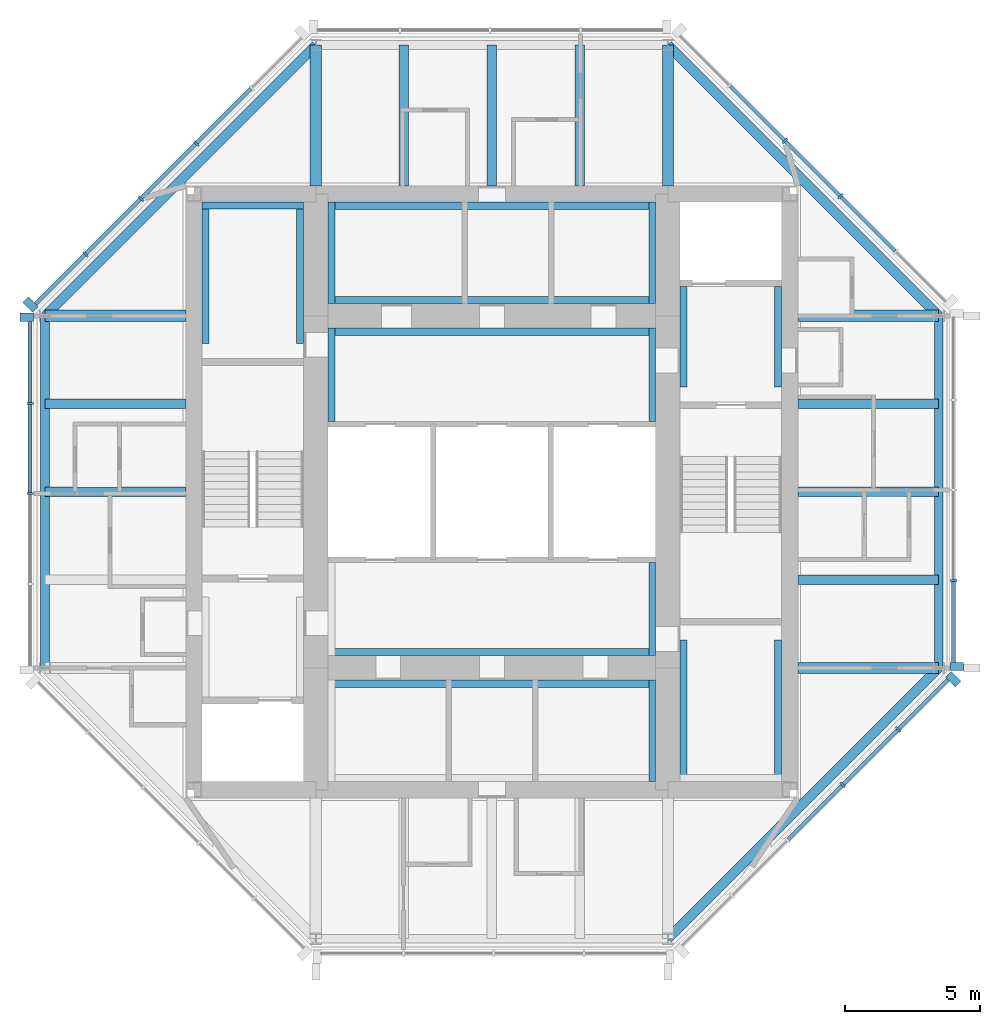
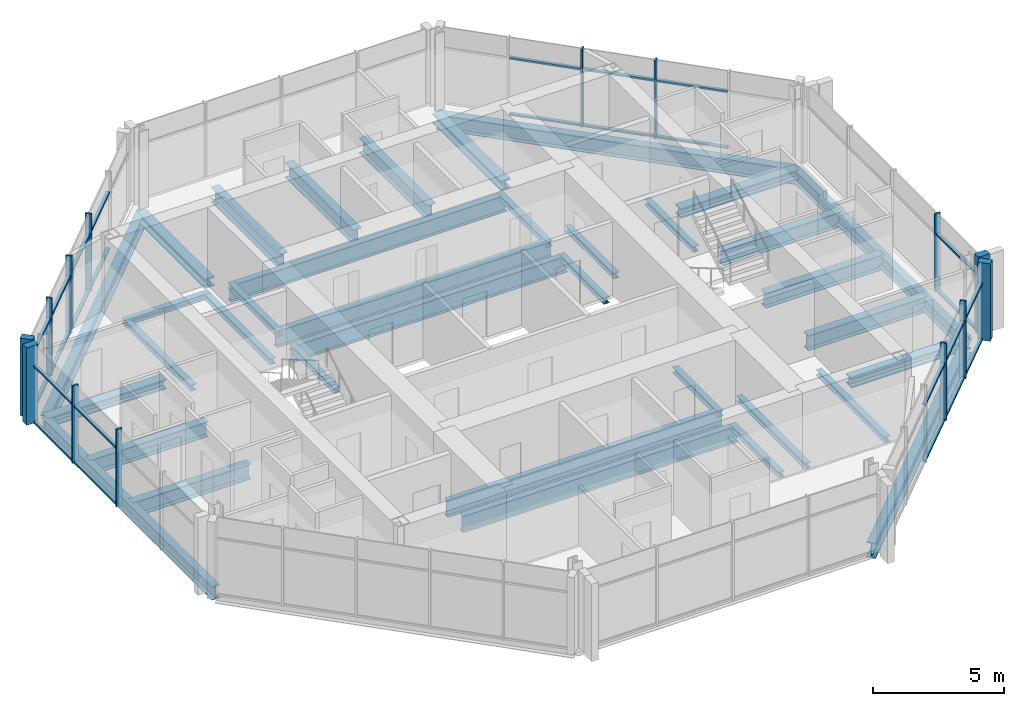
# One storey, part 2 of 9: 40 members, 36 beams, 5 elements without a shape of their own.
"""IFC4 building model written with IfcOpenShell, lengths in metres."""

from ifc_helpers import new_model, si_unit, direction, frame, origin, origin_2d, place, context, subcontext, project, spatial, rectangle, i_section, extrude, material, material_profile, profile_set, type_object, element, aggregate, save


model = new_model("IFC4")

# Units and contexts
model_context = context("Model", 3, precision=1e-05, world=origin(), true_north=direction((0.0, 1.0)))
body_context = subcontext(model_context, "Body", "Model", "MODEL_VIEW")
ifc_project = project(units=[si_unit("LENGTHUNIT", "METRE"), si_unit("AREAUNIT", "SQUARE_METRE"), si_unit("VOLUMEUNIT", "CUBIC_METRE"), si_unit("PLANEANGLEUNIT", "RADIAN"), si_unit("MASSUNIT", "GRAM", prefix="KILO")], contexts=[model_context])

# Site, building, storey
site_placement = place(None, origin())
site = spatial("IfcSite", under=ifc_project, at=site_placement, CompositionType="ELEMENT")
building_placement = place(site_placement, origin())
building = spatial("IfcBuilding", under=site, at=building_placement, Name="Trevanion Tower", CompositionType="ELEMENT")
storey_placement = place(building_placement, frame((0.0, 0.0, 281.199951171875)))
storey = spatial("IfcBuildingStorey", under=building, at=storey_placement, Name="L69", CompositionType="ELEMENT", Elevation=281.199951171875)

# Beams
ifc_material_1 = material(Name="Steel ASTM A992 Grade 50", Category="steel")
ifc_material_profile_1 = material_profile(ifc_material_1, i_section(OverallWidth=0.355712890625, OverallDepth=0.700927734375, WebThickness=0.016845703125, FlangeThickness=0.02734375, at=origin_2d()), Name="W27X161")
ifc_profile_set_1 = profile_set([ifc_material_profile_1], Name="Steel ASTM A992 Grade 50")
beam_type_1 = type_object("IfcBeamType", Name="B15 W27X161", PredefinedType="BEAM", material=ifc_profile_set_1)
for number, where, z_axis, x_axis, name in (
    (1, (11.300048828125, -3.25, -0.54052734375), (1.0, 0.0, 0.0), (0.0, 1.0, 0.0), "B15 L69"),
    (2, (11.300048828125, 0.0, -0.54052734375), (1.0, 0.0, 0.0), (0.0, 1.0, 0.0), "B15 L69"),
    (3, (11.300048828125, 3.25, -0.54052734375), (1.0, 0.0, 0.0), (0.0, 1.0, 0.0), "B15 L69"),
    (4, (3.25, 11.300048828125, -0.54052734375), (0.0, 1.0, 0.0), (-1.0, 0.0, 0.0), "B15 L69"),
    (5, (0.0, 11.300048828125, -0.54052734375), (0.0, 1.0, 0.0), (-1.0, 0.0, 0.0), "B15 L69"),
    (6, (-3.25, 11.300048828125, -0.54052734375), (0.0, 1.0, 0.0), (-1.0, 0.0, 0.0), "B15 L69"),
    (7, (-11.300048828125, 3.25, -0.54052734375), (-1.0, 0.0, 0.0), (0.0, -1.0, 0.0), "B15 L69"),
    (8, (-11.300048828125, 0.0, -0.54052734375), (-1.0, 0.0, 0.0), (0.0, -1.0, 0.0), "B15 L69"),
):
    element("IfcBeam", number, at=place(storey_placement, frame(where, z_axis=z_axis, x_axis=x_axis)), inside=storey, type_object=beam_type_1, Name=name, PredefinedType="BEAM", context=body_context, shape_type="SweptSolid", body=[
        extrude(i_section(OverallWidth=0.355712890625, OverallDepth=0.700927734375, WebThickness=0.016845703125, FlangeThickness=0.02734375, at=origin_2d()), origin(), (0.0, 0.0, 1.0), 5.199951171875),
    ])

# Curtain wall, member
ifc_material_2 = material(Name="Aluminium and glass", Category="aluminium")
curtain_wall_type = type_object("IfcCurtainWallType", Name="CW4 curtain wall", PredefinedType="USERDEFINED", material=ifc_material_2)
curtain_wall_1_placement = place(storey_placement, origin())
curtain_wall_1 = element("IfcCurtainWall", 9, at=curtain_wall_1_placement, inside=storey, type_object=curtain_wall_type, Name="CW4 L69 0", ObjectType="UNITISED CURTAIN WALL", PredefinedType="USERDEFINED")
ifc_material_3 = material(Name="Aluminium extrusion, anodised bronze", Category="aluminium")
ifc_material_profile_2 = material_profile(ifc_material_3, rectangle(XDim=0.074951171875, YDim=0.25, at=origin_2d()), Name="CW4 mullion")
ifc_profile_set_2 = profile_set([ifc_material_profile_2], Name="Aluminium extrusion, anodised bronze")
member_type_1 = type_object("IfcMemberType", Name="CW4 mullion", PredefinedType="MULLION", material=ifc_profile_set_2)
member_1_placement = place(storey_placement, frame((17.050048828125, -3.266357421875, -0.18994140625), z_axis=(0.0, 0.0, 1.0), x_axis=(0.0, 1.0, 0.0)))
member_1 = element("IfcMember", 10, at=member_1_placement, type_object=member_type_1, Name="CW4 mullion 2", PredefinedType="MULLION", context=body_context, shape_type="SweptSolid", body=[
    extrude(rectangle(XDim=0.074951171875, YDim=0.25, at=origin_2d()), origin(), (0.0, 0.0, 1.0), 3.60009765625),
])

# Curtain wall, members
curtain_wall_2_placement = place(storey_placement, origin())
curtain_wall_2 = element("IfcCurtainWall", 11, at=curtain_wall_2_placement, inside=storey, type_object=curtain_wall_type, Name="CW4 L69 1", ObjectType="UNITISED CURTAIN WALL", PredefinedType="USERDEFINED")
member_2_placement = place(storey_placement, frame((12.865966796875, 10.911865234375, -0.18994140625), z_axis=(0.0, 0.0, 1.0), x_axis=(-0.707106781187, 0.707106781187, 0.0)))
member_2 = element("IfcMember", 12, at=member_2_placement, type_object=member_type_1, Name="CW4 mullion 3", PredefinedType="MULLION", context=body_context, shape_type="SweptSolid", body=[
    extrude(rectangle(XDim=0.074951171875, YDim=0.25, at=origin_2d()), origin(), (0.0, 0.0, 1.0), 3.60009765625),
])
member_3_placement = place(storey_placement, frame((10.81982421875, 12.9580078125, -0.18994140625), z_axis=(0.0, 0.0, 1.0), x_axis=(-0.707106781187, 0.707106781187, 0.0)))
member_3 = element("IfcMember", 13, at=member_3_placement, type_object=member_type_1, Name="CW4 mullion 4", PredefinedType="MULLION", context=body_context, shape_type="SweptSolid", body=[
    extrude(rectangle(XDim=0.074951171875, YDim=0.25, at=origin_2d()), origin(), (0.0, 0.0, 1.0), 3.60009765625),
])

curtain_wall_3_placement = place(storey_placement, origin())
curtain_wall_3 = element("IfcCurtainWall", 14, at=curtain_wall_3_placement, inside=storey, type_object=curtain_wall_type, Name="CW4 L69 3", ObjectType="UNITISED CURTAIN WALL", PredefinedType="USERDEFINED")
member_4_placement = place(storey_placement, frame((-10.911865234375, 12.865966796875, -0.18994140625), z_axis=(0.0, 0.0, 1.0), x_axis=(-0.707106781187, -0.707106781187, 0.0)))
member_4 = element("IfcMember", 15, at=member_4_placement, type_object=member_type_1, Name="CW4 mullion 3", PredefinedType="MULLION", context=body_context, shape_type="SweptSolid", body=[
    extrude(rectangle(XDim=0.074951171875, YDim=0.25, at=origin_2d()), origin(), (0.0, 0.0, 1.0), 3.60009765625),
])
member_5_placement = place(storey_placement, frame((-12.9580078125, 10.81982421875, -0.18994140625), z_axis=(0.0, 0.0, 1.0), x_axis=(-0.707106781187, -0.707106781187, 0.0)))
member_5 = element("IfcMember", 16, at=member_5_placement, type_object=member_type_1, Name="CW4 mullion 4", PredefinedType="MULLION", context=body_context, shape_type="SweptSolid", body=[
    extrude(rectangle(XDim=0.074951171875, YDim=0.25, at=origin_2d()), origin(), (0.0, 0.0, 1.0), 3.60009765625),
])
member_6_placement = place(storey_placement, frame((-15.00390625, 8.77392578125, -0.18994140625), z_axis=(0.0, 0.0, 1.0), x_axis=(-0.707106781187, -0.707106781187, 0.0)))
member_6 = element("IfcMember", 17, at=member_6_placement, type_object=member_type_1, Name="CW4 mullion 5", PredefinedType="MULLION", context=body_context, shape_type="SweptSolid", body=[
    extrude(rectangle(XDim=0.074951171875, YDim=0.25, at=origin_2d()), origin(), (0.0, 0.0, 1.0), 3.60009765625),
])

curtain_wall_4_placement = place(storey_placement, origin())
curtain_wall_4 = element("IfcCurtainWall", 18, at=curtain_wall_4_placement, inside=storey, type_object=curtain_wall_type, Name="CW4 L69 4", ObjectType="UNITISED CURTAIN WALL", PredefinedType="USERDEFINED")
member_7_placement = place(storey_placement, frame((-17.050048828125, 3.266357421875, -0.18994140625), z_axis=(0.0, 0.0, 1.0), x_axis=(0.0, -1.0, 0.0)))
member_7 = element("IfcMember", 19, at=member_7_placement, type_object=member_type_1, Name="CW4 mullion 2", PredefinedType="MULLION", context=body_context, shape_type="SweptSolid", body=[
    extrude(rectangle(XDim=0.074951171875, YDim=0.25, at=origin_2d()), origin(), (0.0, 0.0, 1.0), 3.60009765625),
])
member_8_placement = place(storey_placement, frame((-17.050048828125, -0.06494140625, -0.18994140625), z_axis=(0.0, 0.0, 1.0), x_axis=(0.0, -1.0, 0.0)))
member_8 = element("IfcMember", 20, at=member_8_placement, type_object=member_type_1, Name="CW4 mullion 3", PredefinedType="MULLION", context=body_context, shape_type="SweptSolid", body=[
    extrude(rectangle(XDim=0.074951171875, YDim=0.25, at=origin_2d()), origin(), (0.0, 0.0, 1.0), 3.60009765625),
])

curtain_wall_5_placement = place(storey_placement, origin())
curtain_wall_5 = element("IfcCurtainWall", 21, at=curtain_wall_5_placement, inside=storey, type_object=curtain_wall_type, Name="CW4 L69 7", ObjectType="UNITISED CURTAIN WALL", PredefinedType="USERDEFINED")
member_9_placement = place(storey_placement, frame((12.9580078125, -10.81982421875, -0.18994140625), z_axis=(0.0, 0.0, 1.0), x_axis=(0.707106781187, 0.707106781187, 0.0)))
member_9 = element("IfcMember", 22, at=member_9_placement, type_object=member_type_1, Name="CW4 mullion 4", PredefinedType="MULLION", context=body_context, shape_type="SweptSolid", body=[
    extrude(rectangle(XDim=0.074951171875, YDim=0.25, at=origin_2d()), origin(), (0.0, 0.0, 1.0), 3.60009765625),
])
member_10_placement = place(storey_placement, frame((15.00390625, -8.77392578125, -0.18994140625), z_axis=(0.0, 0.0, 1.0), x_axis=(0.707106781187, 0.707106781187, 0.0)))
member_10 = element("IfcMember", 23, at=member_10_placement, type_object=member_type_1, Name="CW4 mullion 5", PredefinedType="MULLION", context=body_context, shape_type="SweptSolid", body=[
    extrude(rectangle(XDim=0.074951171875, YDim=0.25, at=origin_2d()), origin(), (0.0, 0.0, 1.0), 3.60009765625),
])

# Member
ifc_material_4 = material(Name="Aluminium extrusion, anodised bronze", Category="aluminium")
ifc_material_profile_3 = material_profile(ifc_material_4, rectangle(XDim=0.300048828125, YDim=0.5, at=origin_2d()), Name="CW4 pier mullion")
ifc_profile_set_3 = profile_set([ifc_material_profile_3], Name="Aluminium extrusion, anodised bronze")
member_type_2 = type_object("IfcMemberType", Name="CW4 pier mullion", PredefinedType="MULLION", material=ifc_profile_set_3)
member_11_placement = place(storey_placement, frame((17.175048828125, -6.44775390625, -0.18994140625), z_axis=(0.0, 0.0, 1.0), x_axis=(0.0, 1.0, 0.0)))
member_11 = element("IfcMember", 24, at=member_11_placement, type_object=member_type_2, Name="CW4 pier mullion 1", PredefinedType="MULLION", context=body_context, shape_type="SweptSolid", body=[
    extrude(rectangle(XDim=0.300048828125, YDim=0.5, at=origin_2d()), origin(), (0.0, 0.0, 1.0), 3.60009765625),
])

member_12_placement = place(storey_placement, frame((-17.0322265625, 6.92236328125, -0.18994140625), z_axis=(0.0, 0.0, 1.0), x_axis=(-0.707106781187, -0.707106781187, 0.0)))
member_12 = element("IfcMember", 25, at=member_12_placement, type_object=member_type_2, Name="CW4 pier mullion 6", PredefinedType="MULLION", context=body_context, shape_type="SweptSolid", body=[
    extrude(rectangle(XDim=0.300048828125, YDim=0.5, at=origin_2d()), origin(), (0.0, 0.0, 1.0), 3.60009765625),
])

member_13_placement = place(storey_placement, frame((-17.175048828125, 6.44775390625, -0.18994140625), z_axis=(0.0, 0.0, 1.0), x_axis=(0.0, -1.0, 0.0)))
member_13 = element("IfcMember", 26, at=member_13_placement, type_object=member_type_2, Name="CW4 pier mullion 1", PredefinedType="MULLION", context=body_context, shape_type="SweptSolid", body=[
    extrude(rectangle(XDim=0.300048828125, YDim=0.5, at=origin_2d()), origin(), (0.0, 0.0, 1.0), 3.60009765625),
])

member_14_placement = place(storey_placement, frame((17.0322265625, -6.92236328125, -0.18994140625), z_axis=(0.0, 0.0, 1.0), x_axis=(0.707106781187, 0.707106781187, 0.0)))
member_14 = element("IfcMember", 27, at=member_14_placement, type_object=member_type_2, Name="CW4 pier mullion 6", PredefinedType="MULLION", context=body_context, shape_type="SweptSolid", body=[
    extrude(rectangle(XDim=0.300048828125, YDim=0.5, at=origin_2d()), origin(), (0.0, 0.0, 1.0), 3.60009765625),
])

ifc_material_5 = material(Name="Aluminium extrusion, anodised bronze", Category="aluminium")
ifc_material_profile_4 = material_profile(ifc_material_5, rectangle(XDim=0.14990234375, YDim=0.074951171875, at=origin_2d()), Name="CW4 transom")
ifc_profile_set_4 = profile_set([ifc_material_profile_4], Name="Aluminium extrusion, anodised bronze")
member_type_3 = type_object("IfcMemberType", Name="CW4 transom", PredefinedType="USERDEFINED", material=ifc_profile_set_4)
member_15_placement = place(storey_placement, frame((17.050048828125, -6.2978515625, -0.15234375), z_axis=(0.0, 1.0, 0.0), x_axis=(-1.0, 0.0, 0.0)))
member_15 = element("IfcMember", 28, at=member_15_placement, type_object=member_type_3, Name="CW4 transom 1.1", ObjectType="TRANSOM", PredefinedType="USERDEFINED", context=body_context, shape_type="SweptSolid", body=[
    extrude(rectangle(XDim=0.14990234375, YDim=0.074951171875, at=origin_2d()), origin(), (0.0, 0.0, 1.0), 2.993896484375),
])

member_16_placement = place(storey_placement, frame((17.050048828125, -6.2978515625, 2.4599609375), z_axis=(0.0, 1.0, 0.0), x_axis=(-1.0, 0.0, 0.0)))
member_16 = element("IfcMember", 29, at=member_16_placement, type_object=member_type_3, Name="CW4 transom 1.2", ObjectType="TRANSOM", PredefinedType="USERDEFINED", context=body_context, shape_type="SweptSolid", body=[
    extrude(rectangle(XDim=0.14990234375, YDim=0.074951171875, at=origin_2d()), origin(), (0.0, 0.0, 1.0), 2.993896484375),
])

aggregate(curtain_wall_1, [member_11, member_1, member_15, member_16])

member_17_placement = place(storey_placement, frame((14.885498046875, 8.892333984375, -0.15234375), z_axis=(-0.707106781187, 0.707106781187, 0.0), x_axis=(-0.707106781187, -0.707106781187, 0.0)))
member_17 = element("IfcMember", 30, at=member_17_placement, type_object=member_type_3, Name="CW4 transom 2.1", ObjectType="TRANSOM", PredefinedType="USERDEFINED", context=body_context, shape_type="SweptSolid", body=[
    extrude(rectangle(XDim=0.14990234375, YDim=0.074951171875, at=origin_2d()), origin(), (0.0, 0.0, 1.0), 2.818359375),
])

member_18_placement = place(storey_placement, frame((14.885498046875, 8.892333984375, 2.4599609375), z_axis=(-0.707106781187, 0.707106781187, 0.0), x_axis=(-0.707106781187, -0.707106781187, 0.0)))
member_18 = element("IfcMember", 31, at=member_18_placement, type_object=member_type_3, Name="CW4 transom 2.2", ObjectType="TRANSOM", PredefinedType="USERDEFINED", context=body_context, shape_type="SweptSolid", body=[
    extrude(rectangle(XDim=0.14990234375, YDim=0.074951171875, at=origin_2d()), origin(), (0.0, 0.0, 1.0), 2.818359375),
])

member_19_placement = place(storey_placement, frame((12.839599609375, 10.9384765625, -0.15234375), z_axis=(-0.707150088905, 0.707063470815, 0.0), x_axis=(-0.707063470815, -0.707150088905, 0.0)))
member_19 = element("IfcMember", 32, at=member_19_placement, type_object=member_type_3, Name="CW4 transom 3.1", ObjectType="TRANSOM", PredefinedType="USERDEFINED", context=body_context, shape_type="SweptSolid", body=[
    extrude(rectangle(XDim=0.14990234375, YDim=0.074951171875, at=origin_2d()), origin(), (0.0, 0.0, 1.0), 2.818603515625),
])

member_20_placement = place(storey_placement, frame((12.839599609375, 10.9384765625, 2.4599609375), z_axis=(-0.707150088905, 0.707063470815, 0.0), x_axis=(-0.707063470815, -0.707150088905, 0.0)))
member_20 = element("IfcMember", 33, at=member_20_placement, type_object=member_type_3, Name="CW4 transom 3.2", ObjectType="TRANSOM", PredefinedType="USERDEFINED", context=body_context, shape_type="SweptSolid", body=[
    extrude(rectangle(XDim=0.14990234375, YDim=0.074951171875, at=origin_2d()), origin(), (0.0, 0.0, 1.0), 2.818603515625),
])

member_21_placement = place(storey_placement, frame((10.79345703125, 12.984375, -0.15234375), z_axis=(-0.707150088905, 0.707063470815, 0.0), x_axis=(-0.707063470815, -0.707150088905, 0.0)))
member_21 = element("IfcMember", 34, at=member_21_placement, type_object=member_type_3, Name="CW4 transom 4.1", ObjectType="TRANSOM", PredefinedType="USERDEFINED", context=body_context, shape_type="SweptSolid", body=[
    extrude(rectangle(XDim=0.14990234375, YDim=0.074951171875, at=origin_2d()), origin(), (0.0, 0.0, 1.0), 2.818603515625),
])

member_22_placement = place(storey_placement, frame((10.79345703125, 12.984375, 2.4599609375), z_axis=(-0.707150088905, 0.707063470815, 0.0), x_axis=(-0.707063470815, -0.707150088905, 0.0)))
member_22 = element("IfcMember", 35, at=member_22_placement, type_object=member_type_3, Name="CW4 transom 4.2", ObjectType="TRANSOM", PredefinedType="USERDEFINED", context=body_context, shape_type="SweptSolid", body=[
    extrude(rectangle(XDim=0.14990234375, YDim=0.074951171875, at=origin_2d()), origin(), (0.0, 0.0, 1.0), 2.818603515625),
])

aggregate(curtain_wall_2, [member_2, member_3, member_17, member_18, member_19, member_20, member_21, member_22])

member_23_placement = place(storey_placement, frame((-8.892333984375, 14.885498046875, -0.15234375), z_axis=(-0.707106781187, -0.707106781187, 0.0), x_axis=(0.707106781187, -0.707106781187, 0.0)))
member_23 = element("IfcMember", 36, at=member_23_placement, type_object=member_type_3, Name="CW4 transom 2.1", ObjectType="TRANSOM", PredefinedType="USERDEFINED", context=body_context, shape_type="SweptSolid", body=[
    extrude(rectangle(XDim=0.14990234375, YDim=0.074951171875, at=origin_2d()), origin(), (0.0, 0.0, 1.0), 2.818359375),
])

member_24_placement = place(storey_placement, frame((-8.892333984375, 14.885498046875, 2.4599609375), z_axis=(-0.707106781187, -0.707106781187, 0.0), x_axis=(0.707106781187, -0.707106781187, 0.0)))
member_24 = element("IfcMember", 37, at=member_24_placement, type_object=member_type_3, Name="CW4 transom 2.2", ObjectType="TRANSOM", PredefinedType="USERDEFINED", context=body_context, shape_type="SweptSolid", body=[
    extrude(rectangle(XDim=0.14990234375, YDim=0.074951171875, at=origin_2d()), origin(), (0.0, 0.0, 1.0), 2.818359375),
])

member_25_placement = place(storey_placement, frame((-10.9384765625, 12.839599609375, -0.15234375), z_axis=(-0.707063470815, -0.707150088905, 0.0), x_axis=(0.707150088905, -0.707063470815, 0.0)))
member_25 = element("IfcMember", 38, at=member_25_placement, type_object=member_type_3, Name="CW4 transom 3.1", ObjectType="TRANSOM", PredefinedType="USERDEFINED", context=body_context, shape_type="SweptSolid", body=[
    extrude(rectangle(XDim=0.14990234375, YDim=0.074951171875, at=origin_2d()), origin(), (0.0, 0.0, 1.0), 2.818603515625),
])

member_26_placement = place(storey_placement, frame((-10.9384765625, 12.839599609375, 2.4599609375), z_axis=(-0.707063470815, -0.707150088905, 0.0), x_axis=(0.707150088905, -0.707063470815, 0.0)))
member_26 = element("IfcMember", 39, at=member_26_placement, type_object=member_type_3, Name="CW4 transom 3.2", ObjectType="TRANSOM", PredefinedType="USERDEFINED", context=body_context, shape_type="SweptSolid", body=[
    extrude(rectangle(XDim=0.14990234375, YDim=0.074951171875, at=origin_2d()), origin(), (0.0, 0.0, 1.0), 2.818603515625),
])

member_27_placement = place(storey_placement, frame((-12.984375, 10.79345703125, -0.15234375), z_axis=(-0.707063470815, -0.707150088905, 0.0), x_axis=(0.707150088905, -0.707063470815, 0.0)))
member_27 = element("IfcMember", 40, at=member_27_placement, type_object=member_type_3, Name="CW4 transom 4.1", ObjectType="TRANSOM", PredefinedType="USERDEFINED", context=body_context, shape_type="SweptSolid", body=[
    extrude(rectangle(XDim=0.14990234375, YDim=0.074951171875, at=origin_2d()), origin(), (0.0, 0.0, 1.0), 2.818603515625),
])

member_28_placement = place(storey_placement, frame((-12.984375, 10.79345703125, 2.4599609375), z_axis=(-0.707063470815, -0.707150088905, 0.0), x_axis=(0.707150088905, -0.707063470815, 0.0)))
member_28 = element("IfcMember", 41, at=member_28_placement, type_object=member_type_3, Name="CW4 transom 4.2", ObjectType="TRANSOM", PredefinedType="USERDEFINED", context=body_context, shape_type="SweptSolid", body=[
    extrude(rectangle(XDim=0.14990234375, YDim=0.074951171875, at=origin_2d()), origin(), (0.0, 0.0, 1.0), 2.818603515625),
])

member_29_placement = place(storey_placement, frame((-15.030517578125, 8.747314453125, -0.15234375), z_axis=(-0.707106781187, -0.707106781187, 0.0), x_axis=(0.707106781187, -0.707106781187, 0.0)))
member_29 = element("IfcMember", 42, at=member_29_placement, type_object=member_type_3, Name="CW4 transom 5.1", ObjectType="TRANSOM", PredefinedType="USERDEFINED", context=body_context, shape_type="SweptSolid", body=[
    extrude(rectangle(XDim=0.14990234375, YDim=0.074951171875, at=origin_2d()), origin(), (0.0, 0.0, 1.0), 2.555908203125),
])

member_30_placement = place(storey_placement, frame((-15.030517578125, 8.747314453125, 2.4599609375), z_axis=(-0.707106781187, -0.707106781187, 0.0), x_axis=(0.707106781187, -0.707106781187, 0.0)))
member_30 = element("IfcMember", 43, at=member_30_placement, type_object=member_type_3, Name="CW4 transom 5.2", ObjectType="TRANSOM", PredefinedType="USERDEFINED", context=body_context, shape_type="SweptSolid", body=[
    extrude(rectangle(XDim=0.14990234375, YDim=0.074951171875, at=origin_2d()), origin(), (0.0, 0.0, 1.0), 2.555908203125),
])

aggregate(curtain_wall_3, [member_4, member_5, member_6, member_12, member_23, member_24, member_25, member_26, member_27, member_28, member_29, member_30])

member_31_placement = place(storey_placement, frame((-17.050048828125, 6.2978515625, -0.15234375), z_axis=(0.0, -1.0, 0.0), x_axis=(1.0, 0.0, 0.0)))
member_31 = element("IfcMember", 44, at=member_31_placement, type_object=member_type_3, Name="CW4 transom 1.1", ObjectType="TRANSOM", PredefinedType="USERDEFINED", context=body_context, shape_type="SweptSolid", body=[
    extrude(rectangle(XDim=0.14990234375, YDim=0.074951171875, at=origin_2d()), origin(), (0.0, 0.0, 1.0), 2.993896484375),
])

member_32_placement = place(storey_placement, frame((-17.050048828125, 6.2978515625, 2.4599609375), z_axis=(0.0, -1.0, 0.0), x_axis=(1.0, 0.0, 0.0)))
member_32 = element("IfcMember", 45, at=member_32_placement, type_object=member_type_3, Name="CW4 transom 1.2", ObjectType="TRANSOM", PredefinedType="USERDEFINED", context=body_context, shape_type="SweptSolid", body=[
    extrude(rectangle(XDim=0.14990234375, YDim=0.074951171875, at=origin_2d()), origin(), (0.0, 0.0, 1.0), 2.993896484375),
])

member_33_placement = place(storey_placement, frame((-17.050048828125, 3.22900390625, -0.15234375), z_axis=(0.0, -1.0, 0.0), x_axis=(1.0, 0.0, 0.0)))
member_33 = element("IfcMember", 46, at=member_33_placement, type_object=member_type_3, Name="CW4 transom 2.1", ObjectType="TRANSOM", PredefinedType="USERDEFINED", context=body_context, shape_type="SweptSolid", body=[
    extrude(rectangle(XDim=0.14990234375, YDim=0.074951171875, at=origin_2d()), origin(), (0.0, 0.0, 1.0), 3.256591796875),
])

member_34_placement = place(storey_placement, frame((-17.050048828125, 3.22900390625, 2.4599609375), z_axis=(0.0, -1.0, 0.0), x_axis=(1.0, 0.0, 0.0)))
member_34 = element("IfcMember", 47, at=member_34_placement, type_object=member_type_3, Name="CW4 transom 2.2", ObjectType="TRANSOM", PredefinedType="USERDEFINED", context=body_context, shape_type="SweptSolid", body=[
    extrude(rectangle(XDim=0.14990234375, YDim=0.074951171875, at=origin_2d()), origin(), (0.0, 0.0, 1.0), 3.256591796875),
])

aggregate(curtain_wall_4, [member_13, member_7, member_8, member_31, member_32, member_33, member_34])

member_35_placement = place(storey_placement, frame((10.9384765625, -12.839599609375, -0.15234375), z_axis=(0.707063470815, 0.707150088905, 0.0), x_axis=(-0.707150088905, 0.707063470815, 0.0)))
member_35 = element("IfcMember", 48, at=member_35_placement, type_object=member_type_3, Name="CW4 transom 3.1", ObjectType="TRANSOM", PredefinedType="USERDEFINED", context=body_context, shape_type="SweptSolid", body=[
    extrude(rectangle(XDim=0.14990234375, YDim=0.074951171875, at=origin_2d()), origin(), (0.0, 0.0, 1.0), 2.818603515625),
])

member_36_placement = place(storey_placement, frame((10.9384765625, -12.839599609375, 2.4599609375), z_axis=(0.707063470815, 0.707150088905, 0.0), x_axis=(-0.707150088905, 0.707063470815, 0.0)))
member_36 = element("IfcMember", 49, at=member_36_placement, type_object=member_type_3, Name="CW4 transom 3.2", ObjectType="TRANSOM", PredefinedType="USERDEFINED", context=body_context, shape_type="SweptSolid", body=[
    extrude(rectangle(XDim=0.14990234375, YDim=0.074951171875, at=origin_2d()), origin(), (0.0, 0.0, 1.0), 2.818603515625),
])

member_37_placement = place(storey_placement, frame((12.984375, -10.79345703125, -0.15234375), z_axis=(0.707063470815, 0.707150088905, 0.0), x_axis=(-0.707150088905, 0.707063470815, 0.0)))
member_37 = element("IfcMember", 50, at=member_37_placement, type_object=member_type_3, Name="CW4 transom 4.1", ObjectType="TRANSOM", PredefinedType="USERDEFINED", context=body_context, shape_type="SweptSolid", body=[
    extrude(rectangle(XDim=0.14990234375, YDim=0.074951171875, at=origin_2d()), origin(), (0.0, 0.0, 1.0), 2.818603515625),
])

member_38_placement = place(storey_placement, frame((12.984375, -10.79345703125, 2.4599609375), z_axis=(0.707063470815, 0.707150088905, 0.0), x_axis=(-0.707150088905, 0.707063470815, 0.0)))
member_38 = element("IfcMember", 51, at=member_38_placement, type_object=member_type_3, Name="CW4 transom 4.2", ObjectType="TRANSOM", PredefinedType="USERDEFINED", context=body_context, shape_type="SweptSolid", body=[
    extrude(rectangle(XDim=0.14990234375, YDim=0.074951171875, at=origin_2d()), origin(), (0.0, 0.0, 1.0), 2.818603515625),
])

member_39_placement = place(storey_placement, frame((15.030517578125, -8.747314453125, -0.15234375), z_axis=(0.707106781187, 0.707106781187, 0.0), x_axis=(-0.707106781187, 0.707106781187, 0.0)))
member_39 = element("IfcMember", 52, at=member_39_placement, type_object=member_type_3, Name="CW4 transom 5.1", ObjectType="TRANSOM", PredefinedType="USERDEFINED", context=body_context, shape_type="SweptSolid", body=[
    extrude(rectangle(XDim=0.14990234375, YDim=0.074951171875, at=origin_2d()), origin(), (0.0, 0.0, 1.0), 2.555908203125),
])

member_40_placement = place(storey_placement, frame((15.030517578125, -8.747314453125, 2.4599609375), z_axis=(0.707106781187, 0.707106781187, 0.0), x_axis=(-0.707106781187, 0.707106781187, 0.0)))
member_40 = element("IfcMember", 53, at=member_40_placement, type_object=member_type_3, Name="CW4 transom 5.2", ObjectType="TRANSOM", PredefinedType="USERDEFINED", context=body_context, shape_type="SweptSolid", body=[
    extrude(rectangle(XDim=0.14990234375, YDim=0.074951171875, at=origin_2d()), origin(), (0.0, 0.0, 1.0), 2.555908203125),
])

aggregate(curtain_wall_5, [member_9, member_10, member_14, member_35, member_36, member_37, member_38, member_39, member_40])

# Beams
ifc_material_6 = material(Name="Steel ASTM A992 Grade 50", Category="steel")
ifc_material_profile_5 = material_profile(ifc_material_6, i_section(OverallWidth=0.41650390625, OverallDepth=0.444580078125, WebThickness=0.0390625, FlangeThickness=0.062744140625, at=origin_2d()), Name="W14X342")
ifc_profile_set_5 = profile_set([ifc_material_profile_5], Name="Steel ASTM A992 Grade 50")
beam_type_2 = type_object("IfcBeamType", Name="G8 W14X342", PredefinedType="BEAM", material=ifc_profile_set_5)
for number, where, z_axis, x_axis, name in (
    (54, (11.300048828125, -6.5, -0.412109375), (1.0, 0.0, 0.0), (0.0, 1.0, 0.0), "G8 L69"),
    (55, (11.300048828125, 6.5, -0.412109375), (1.0, 0.0, 0.0), (0.0, 1.0, 0.0), "G8 L69"),
    (56, (6.5, 11.300048828125, -0.412109375), (0.0, 1.0, 0.0), (-1.0, 0.0, 0.0), "G8 L69"),
    (57, (-6.5, 11.300048828125, -0.412109375), (0.0, 1.0, 0.0), (-1.0, 0.0, 0.0), "G8 L69"),
    (58, (-11.300048828125, 6.5, -0.412109375), (-1.0, 0.0, 0.0), (0.0, -1.0, 0.0), "G8 L69"),
):
    element("IfcBeam", number, at=place(storey_placement, frame(where, z_axis=z_axis, x_axis=x_axis)), inside=storey, type_object=beam_type_2, Name=name, PredefinedType="BEAM", context=body_context, shape_type="SweptSolid", body=[
        extrude(i_section(OverallWidth=0.41650390625, OverallDepth=0.444580078125, WebThickness=0.0390625, FlangeThickness=0.062744140625, at=origin_2d()), origin(), (0.0, 0.0, 1.0), 5.199951171875),
    ])
ifc_material_7 = material(Name="Steel ASTM A992 Grade 50", Category="steel")
ifc_material_profile_6 = material_profile(ifc_material_7, i_section(OverallWidth=0.256591796875, OverallDepth=0.26416015625, WebThickness=0.011962890625, FlangeThickness=0.01953125, at=origin_2d()), Name="W10X68")
ifc_profile_set_6 = profile_set([ifc_material_profile_6], Name="Steel ASTM A992 Grade 50")
beam_type_3 = type_object("IfcBeamType", Name="LB1 W10X68", PredefinedType="BEAM", material=ifc_profile_set_6)
for number, where, z_axis, x_axis, name in (
    (59, (-5.921630859375, 2.60009765625, -0.33203125), (0.0, 1.0, 0.0), (-1.0, 0.0, 0.0), "LB1 L69"),
    (60, (5.921630859375, 2.60009765625, -0.33203125), (0.0, 1.0, 0.0), (-1.0, 0.0, 0.0), "LB1 L69"),
    (61, (5.921630859375, -6.050048828125, -0.33203125), (0.0, 1.0, 0.0), (-1.0, 0.0, 0.0), "LB1 L69"),
):
    element("IfcBeam", number, at=place(storey_placement, frame(where, z_axis=z_axis, x_axis=x_axis)), inside=storey, type_object=beam_type_3, Name=name, PredefinedType="BEAM", context=body_context, shape_type="SweptSolid", body=[
        extrude(i_section(OverallWidth=0.256591796875, OverallDepth=0.26416015625, WebThickness=0.011962890625, FlangeThickness=0.01953125, at=origin_2d()), origin(), (0.0, 0.0, 1.0), 3.449951171875),
    ])
for number, where, z_axis, x_axis, name in (
    (62, (7.078369140625, 3.875, -0.33203125), (0.0, 1.0, 0.0), (-1.0, 0.0, 0.0), "LB1 L69"),
    (63, (10.57177734375, 3.875, -0.33203125), (0.0, 1.0, 0.0), (-1.0, 0.0, 0.0), "LB1 L69"),
):
    element("IfcBeam", number, at=place(storey_placement, frame(where, z_axis=z_axis, x_axis=x_axis)), inside=storey, type_object=beam_type_3, Name=name, PredefinedType="BEAM", context=body_context, shape_type="SweptSolid", body=[
        extrude(i_section(OverallWidth=0.256591796875, OverallDepth=0.26416015625, WebThickness=0.011962890625, FlangeThickness=0.01953125, at=origin_2d()), origin(), (0.0, 0.0, 1.0), 3.699951171875),
    ])
for number, where, z_axis, x_axis, name in (
    (64, (7.078369140625, -10.699951171875, -0.33203125), (0.0, 1.0, 0.0), (-1.0, 0.0, 0.0), "LB1 L69"),
    (65, (10.57177734375, -10.699951171875, -0.33203125), (0.0, 1.0, 0.0), (-1.0, 0.0, 0.0), "LB1 L69"),
    (66, (-10.57177734375, 5.47509765625, -0.33203125), (0.0, 1.0, 0.0), (-1.0, 0.0, 0.0), "LB1 L69"),
    (67, (-7.078369140625, 5.47509765625, -0.33203125), (0.0, 1.0, 0.0), (-1.0, 0.0, 0.0), "LB1 L69"),
):
    element("IfcBeam", number, at=place(storey_placement, frame(where, z_axis=z_axis, x_axis=x_axis)), inside=storey, type_object=beam_type_3, Name=name, PredefinedType="BEAM", context=body_context, shape_type="SweptSolid", body=[
        extrude(i_section(OverallWidth=0.256591796875, OverallDepth=0.26416015625, WebThickness=0.011962890625, FlangeThickness=0.01953125, at=origin_2d()), origin(), (0.0, 0.0, 1.0), 5.224853515625),
    ])
for number, where, z_axis, x_axis, name in (
    (68, (-10.699951171875, 10.57177734375, -0.33203125), (1.0, 0.0, 0.0), (0.0, 1.0, 0.0), "LB1 L69"),
    (69, (-5.921630859375, 6.949951171875, -0.33203125), (0.0, 1.0, 0.0), (-1.0, 0.0, 0.0), "LB1 L69"),
    (70, (5.921630859375, 6.949951171875, -0.33203125), (0.0, 1.0, 0.0), (-1.0, 0.0, 0.0), "LB1 L69"),
    (71, (5.921630859375, -10.699951171875, -0.33203125), (0.0, 1.0, 0.0), (-1.0, 0.0, 0.0), "LB1 L69"),
):
    element("IfcBeam", number, at=place(storey_placement, frame(where, z_axis=z_axis, x_axis=x_axis)), inside=storey, type_object=beam_type_3, Name=name, PredefinedType="BEAM", context=body_context, shape_type="SweptSolid", body=[
        extrude(i_section(OverallWidth=0.256591796875, OverallDepth=0.26416015625, WebThickness=0.011962890625, FlangeThickness=0.01953125, at=origin_2d()), origin(), (0.0, 0.0, 1.0), 3.75),
    ])
ifc_material_8 = material(Name="Steel ASTM A992 Grade 50", Category="steel")
ifc_material_profile_7 = material_profile(ifc_material_8, i_section(OverallWidth=0.2666015625, OverallDepth=0.76953125, WebThickness=0.015625, FlangeThickness=0.025390625, at=origin_2d()), Name="W30X132")
ifc_profile_set_7 = profile_set([ifc_material_profile_7], Name="Steel ASTM A992 Grade 50")
beam_type_4 = type_object("IfcBeamType", Name="LB3 W30X132", PredefinedType="BEAM", material=ifc_profile_set_7)
for number, where, z_axis, x_axis, name in (
    (72, (-6.050048828125, 5.91650390625, -0.584716796875), (1.0, 0.0, 0.0), (0.0, 1.0, 0.0), "LB3 L69"),
    (73, (-6.050048828125, -5.91650390625, -0.584716796875), (1.0, 0.0, 0.0), (0.0, 1.0, 0.0), "LB3 L69"),
    (74, (-6.050048828125, 7.08349609375, -0.584716796875), (1.0, 0.0, 0.0), (0.0, 1.0, 0.0), "LB3 L69"),
    (75, (-6.050048828125, 10.566650390625, -0.584716796875), (1.0, 0.0, 0.0), (0.0, 1.0, 0.0), "LB3 L69"),
    (76, (-6.050048828125, -7.08349609375, -0.584716796875), (1.0, 0.0, 0.0), (0.0, 1.0, 0.0), "LB3 L69"),
):
    element("IfcBeam", number, at=place(storey_placement, frame(where, z_axis=z_axis, x_axis=x_axis)), inside=storey, type_object=beam_type_4, Name=name, PredefinedType="BEAM", context=body_context, shape_type="SweptSolid", body=[
        extrude(i_section(OverallWidth=0.2666015625, OverallDepth=0.76953125, WebThickness=0.015625, FlangeThickness=0.025390625, at=origin_2d()), origin(), (0.0, 0.0, 1.0), 12.10009765625),
    ])
ifc_material_9 = material(Name="Steel ASTM A992 Grade 50", Category="steel")
ifc_material_profile_8 = material_profile(ifc_material_9, i_section(OverallWidth=0.32763671875, OverallDepth=0.622314453125, WebThickness=0.015380859375, FlangeThickness=0.0244140625, at=origin_2d()), Name="W24X131")
ifc_profile_set_8 = profile_set([ifc_material_profile_8], Name="Steel ASTM A992 Grade 50")
beam_type_5 = type_object("IfcBeamType", Name="SB12 W24X131", PredefinedType="SPANDREL", material=ifc_profile_set_8)
for number, where, z_axis, x_axis, name in (
    (77, (16.5, -6.5, -0.501220703125), (0.0, 1.0, 0.0), (-1.0, 0.0, 0.0), "SB12 L69"),
    (78, (-16.5, 6.5, -0.501220703125), (0.0, -1.0, 0.0), (1.0, 0.0, 0.0), "SB12 L69"),
):
    element("IfcBeam", number, at=place(storey_placement, frame(where, z_axis=z_axis, x_axis=x_axis)), inside=storey, type_object=beam_type_5, Name=name, PredefinedType="SPANDREL", context=body_context, shape_type="SweptSolid", body=[
        extrude(i_section(OverallWidth=0.32763671875, OverallDepth=0.622314453125, WebThickness=0.015380859375, FlangeThickness=0.0244140625, at=origin_2d()), origin(), (0.0, 0.0, 1.0), 13.0),
    ])
ifc_material_10 = material(Name="Steel ASTM A992 Grade 50", Category="steel")
ifc_material_profile_9 = material_profile(ifc_material_10, i_section(OverallWidth=0.358154296875, OverallDepth=0.7060546875, WebThickness=0.018310546875, FlangeThickness=0.0302734375, at=origin_2d()), Name="W27X178")
ifc_profile_set_9 = profile_set([ifc_material_profile_9], Name="Steel ASTM A992 Grade 50")
beam_type_6 = type_object("IfcBeamType", Name="SB13 W27X178", PredefinedType="SPANDREL", material=ifc_profile_set_9)
for number, where, z_axis, x_axis, name in (
    (79, (16.5, 6.5, -0.54296875), (-0.707106781187, 0.707106781187, 0.0), (-0.707106781187, -0.707106781187, 0.0), "SB13 L69"),
    (80, (-6.5, 16.5, -0.54296875), (-0.707106781187, -0.707106781187, 0.0), (0.707106781187, -0.707106781187, 0.0), "SB13 L69"),
    (81, (6.5, -16.5, -0.54296875), (0.707106781187, 0.707106781187, 0.0), (-0.707106781187, 0.707106781187, 0.0), "SB13 L69"),
):
    element("IfcBeam", number, at=place(storey_placement, frame(where, z_axis=z_axis, x_axis=x_axis)), inside=storey, type_object=beam_type_6, Name=name, PredefinedType="SPANDREL", context=body_context, shape_type="SweptSolid", body=[
        extrude(i_section(OverallWidth=0.358154296875, OverallDepth=0.7060546875, WebThickness=0.018310546875, FlangeThickness=0.0302734375, at=origin_2d()), origin(), (0.0, 0.0, 1.0), 14.14208984375),
    ])

save(model, "model.ifc")
